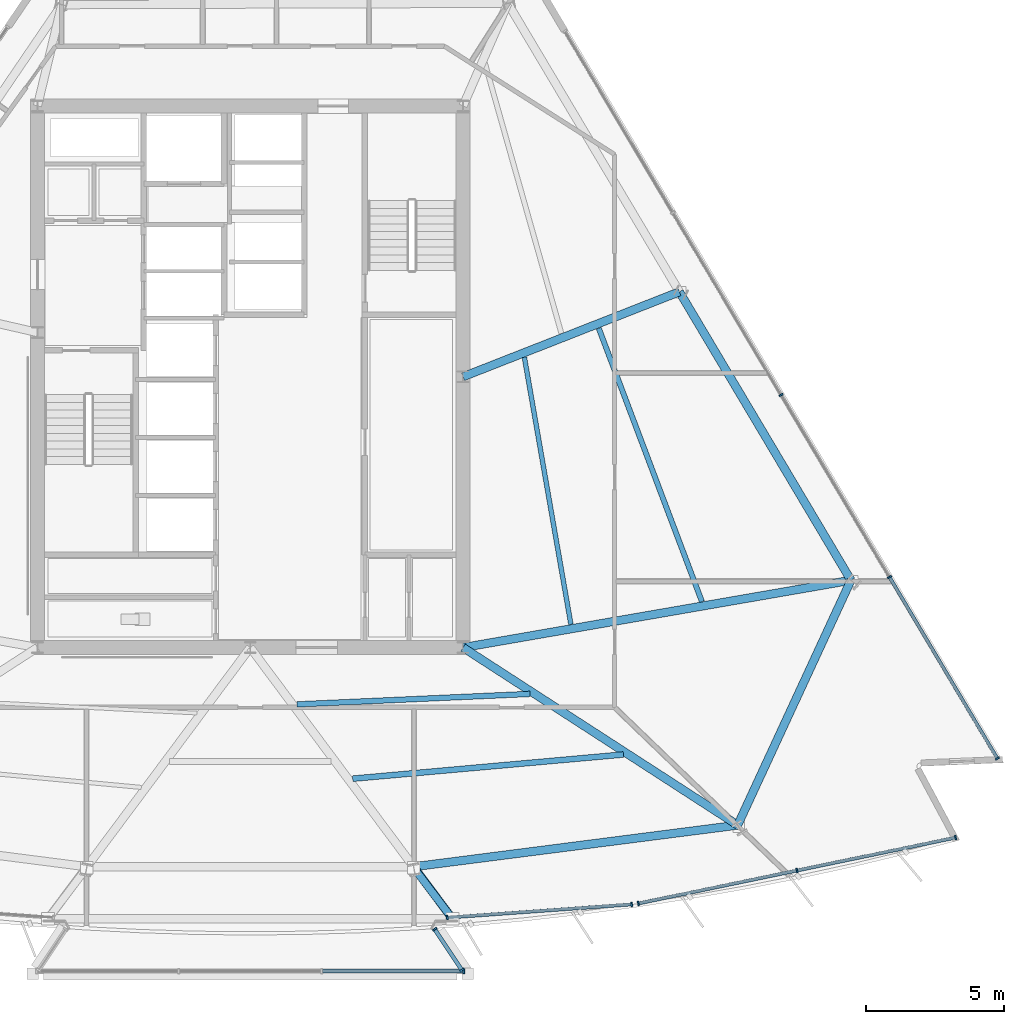
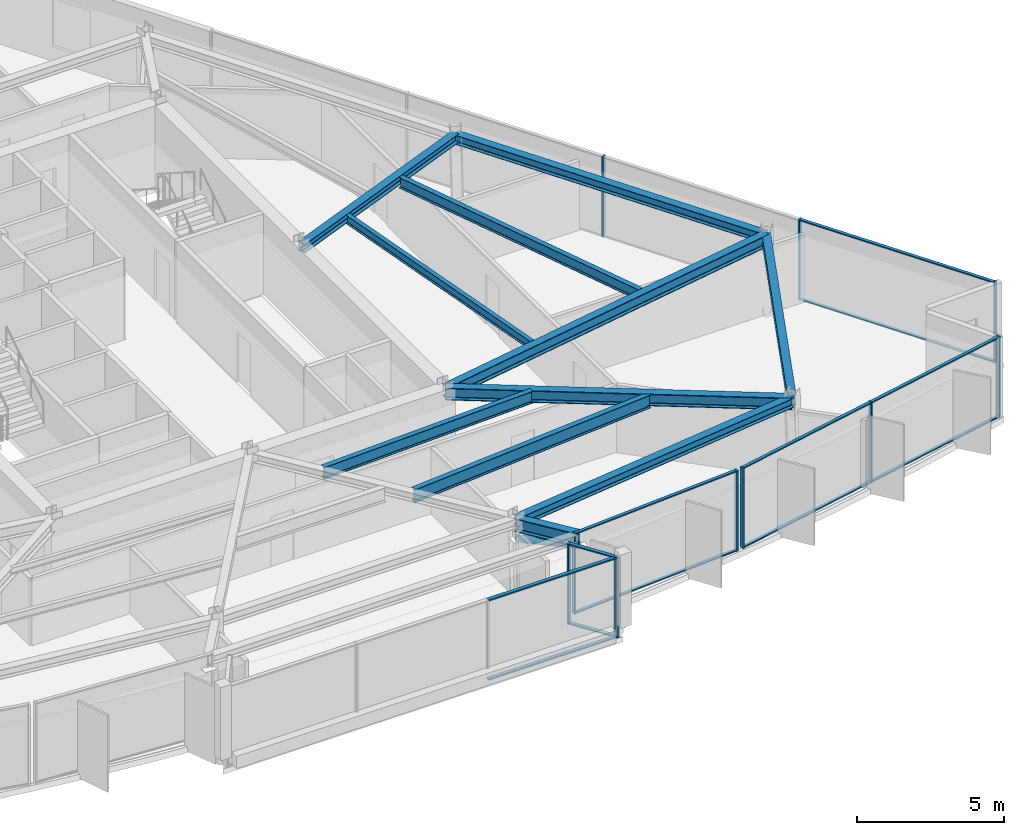
# One storey, part 5 of 16: 24 members, 11 beams, 5 elements without a shape of their own.
"""IFC4 building model written with IfcOpenShell, lengths in metres."""

from ifc_helpers import new_model, si_unit, direction, frame, origin, origin_2d, place, context, subcontext, project, spatial, rectangle, hollow_circle, i_section, extrude, material, material_profile, profile_set, type_object, element, aggregate, save


model = new_model("IFC4")

# Units and contexts
model_context = context("Model", 3, precision=1e-05, world=origin(), true_north=direction((0.0, 1.0)))
body_context = subcontext(model_context, "Body", "Model", "MODEL_VIEW")
ifc_project = project(units=[si_unit("LENGTHUNIT", "METRE"), si_unit("AREAUNIT", "SQUARE_METRE"), si_unit("VOLUMEUNIT", "CUBIC_METRE"), si_unit("PLANEANGLEUNIT", "RADIAN"), si_unit("MASSUNIT", "GRAM", prefix="KILO")], contexts=[model_context])

# Site, building, storey
site_placement = place(None, origin())
site = spatial("IfcSite", under=ifc_project, at=site_placement, CompositionType="ELEMENT")
building_placement = place(site_placement, origin())
building = spatial("IfcBuilding", under=site, at=building_placement, Name="Savorim Split Tower", CompositionType="ELEMENT")
storey_placement = place(building_placement, frame((0.0, 0.0, 160.199951171875)))
storey = spatial("IfcBuildingStorey", under=building, at=storey_placement, Name="L42", CompositionType="ELEMENT", Elevation=160.199951171875)

# Beams
ifc_material_1 = material(Name="Steel S355", Category="steel")
ifc_material_profile_1 = material_profile(ifc_material_1, i_section(OverallWidth=0.169921875, OverallDepth=0.360107421875, WebThickness=0.008056640625, FlangeThickness=0.0126953125, FilletRadius=0.01806640625, at=origin_2d()), Name="IPE 360")
ifc_profile_set_1 = profile_set([ifc_material_profile_1], Name="Steel S355")
beam_type_1 = type_object("IfcBeamType", Name="BM-JST-IPE360", PredefinedType="JOIST", material=ifc_profile_set_1)
beam_1_placement = place(storey_placement, frame((11.6025390625, -8.560546875, 3.170166015625), z_axis=(-0.171567007351, 0.985172452918, 0.0), x_axis=(-0.985172452918, -0.171567007351, 0.0)))
element("IfcBeam", 1, at=beam_1_placement, inside=storey, type_object=beam_type_1, Name="L42 Secondary Floor Joist JS-08", PredefinedType="JOIST", context=body_context, shape_type="SweptSolid", body=[
    extrude(i_section(OverallWidth=0.169921875, OverallDepth=0.360107421875, WebThickness=0.008056640625, FlangeThickness=0.0126953125, FilletRadius=0.01806640625, at=origin_2d()), origin(), (0.0, 0.0, 1.0), 9.808837890625),
])
ifc_material_profile_2 = material_profile(ifc_material_1, i_section(OverallWidth=0.18994140625, OverallDepth=0.449951171875, WebThickness=0.009521484375, FlangeThickness=0.0146484375, FilletRadius=0.02099609375, at=origin_2d()), Name="IPE 450")
ifc_profile_set_2 = profile_set([ifc_material_profile_2], Name="Steel S355")
beam_type_2 = type_object("IfcBeamType", Name="BM-JST-IPE450", PredefinedType="JOIST", material=ifc_profile_set_2)
beam_2_placement = place(storey_placement, frame((16.345703125, -7.74072265625, 3.125), z_axis=(-0.353105663793, 0.935583449083, 0.0), x_axis=(-0.935583449083, -0.353105663793, 0.0)))
element("IfcBeam", 2, at=beam_2_placement, inside=storey, type_object=beam_type_2, Name="L42 Secondary Floor Joist JS-06", PredefinedType="JOIST", context=body_context, shape_type="SweptSolid", body=[
    extrude(i_section(OverallWidth=0.18994140625, OverallDepth=0.449951171875, WebThickness=0.009521484375, FlangeThickness=0.0146484375, FilletRadius=0.02099609375, at=origin_2d()), origin(), (0.0, 0.0, 1.0), 10.577880859375),
])
ifc_material_profile_3 = material_profile(ifc_material_1, i_section(OverallWidth=0.199951171875, OverallDepth=0.5, WebThickness=0.01025390625, FlangeThickness=0.01611328125, FilletRadius=0.02099609375, at=origin_2d()), Name="IPE 500")
ifc_profile_set_3 = profile_set([ifc_material_profile_3], Name="Steel S355")
beam_type_3 = type_object("IfcBeamType", Name="BM-JST-IPE500", PredefinedType="JOIST", material=ifc_profile_set_3)
beam_3_placement = place(storey_placement, frame((1.696533203125, -11.455078125, 3.10009765625), z_axis=(0.998999807082, 0.044714488149, 0.0), x_axis=(-0.044714488149, 0.998999807082, 0.0)))
element("IfcBeam", 3, at=beam_3_placement, inside=storey, type_object=beam_type_3, Name="L42 Secondary Floor Joist JS-05", PredefinedType="JOIST", context=body_context, shape_type="SweptSolid", body=[
    extrude(i_section(OverallWidth=0.199951171875, OverallDepth=0.5, WebThickness=0.01025390625, FlangeThickness=0.01611328125, FilletRadius=0.02099609375, at=origin_2d()), origin(), (0.0, 0.0, 1.0), 8.435791015625),
])
ifc_material_profile_4 = material_profile(ifc_material_1, i_section(OverallWidth=0.2099609375, OverallDepth=0.550048828125, WebThickness=0.010986328125, FlangeThickness=0.01708984375, FilletRadius=0.02392578125, at=origin_2d()), Name="IPE 550")
ifc_profile_set_4 = profile_set([ifc_material_profile_4], Name="Steel S355")
beam_type_4 = type_object("IfcBeamType", Name="BM-JST-IPE550", PredefinedType="JOIST", material=ifc_profile_set_4)
beam_4_placement = place(storey_placement, frame((3.705810546875, -14.14501953125, 3.074951171875), z_axis=(0.996035192147, 0.088960080957, 0.0), x_axis=(-0.088960080957, 0.996035192147, 0.0)))
element("IfcBeam", 4, at=beam_4_placement, inside=storey, type_object=beam_type_4, Name="L42 Secondary Floor Joist JS-04", PredefinedType="JOIST", context=body_context, shape_type="SweptSolid", body=[
    extrude(i_section(OverallWidth=0.2099609375, OverallDepth=0.550048828125, WebThickness=0.010986328125, FlangeThickness=0.01708984375, FilletRadius=0.02392578125, at=origin_2d()), origin(), (0.0, 0.0, 1.0), 9.8359375),
])
ifc_material_profile_5 = material_profile(ifc_material_1, i_section(OverallWidth=0.300048828125, OverallDepth=0.360107421875, WebThickness=0.012451171875, FlangeThickness=0.0224609375, FilletRadius=0.027099609375, at=origin_2d()), Name="HEB 360")
ifc_profile_set_5 = profile_set([ifc_material_profile_5], Name="Steel S355")
beam_type_5 = type_object("IfcBeamType", Name="BM-PRI-HEB360", PredefinedType="BEAM", material=ifc_profile_set_5)
beam_5_placement = place(storey_placement, frame((15.529052734375, 3.473388671875, 3.170166015625), z_axis=(-0.930841785906, -0.365422453623, 0.0), x_axis=(0.365422453623, -0.930841785906, 0.0)))
element("IfcBeam", 5, at=beam_5_placement, inside=storey, type_object=beam_type_5, Name="L42 Primary Floor Girder RG-06", PredefinedType="BEAM", context=body_context, shape_type="SweptSolid", body=[
    extrude(i_section(OverallWidth=0.300048828125, OverallDepth=0.360107421875, WebThickness=0.012451171875, FlangeThickness=0.0224609375, FilletRadius=0.027099609375, at=origin_2d()), origin(), (0.0, 0.0, 1.0), 8.410888671875),
])
ifc_material_profile_6 = material_profile(ifc_material_1, i_section(OverallWidth=0.300048828125, OverallDepth=0.5, WebThickness=0.014404296875, FlangeThickness=0.028076171875, FilletRadius=0.027099609375, at=origin_2d()), Name="HEB 500")
ifc_profile_set_6 = profile_set([ifc_material_profile_6], Name="Steel S355")
beam_type_6 = type_object("IfcBeamType", Name="BM-PRI-HEB500", PredefinedType="BEAM", material=ifc_profile_set_6)
beam_6_placement = place(storey_placement, frame((17.63671875, -15.826416015625, 3.10009765625), z_axis=(-0.839691907768, 0.54306307187, 0.0), x_axis=(-0.54306307187, -0.839691907768, 0.0)))
element("IfcBeam", 6, at=beam_6_placement, inside=storey, type_object=beam_type_6, Name="L42 Primary Floor Girder RG-04", PredefinedType="BEAM", context=body_context, shape_type="SweptSolid", body=[
    extrude(i_section(OverallWidth=0.300048828125, OverallDepth=0.5, WebThickness=0.014404296875, FlangeThickness=0.028076171875, FilletRadius=0.027099609375, at=origin_2d()), origin(), (0.0, 0.0, 1.0), 11.833740234375),
])
beam_7_placement = place(storey_placement, frame((21.73583984375, -6.965087890625, 3.10009765625), z_axis=(-0.985285247641, -0.170918052821, 0.0), x_axis=(0.170918052821, -0.985285247641, 0.0)))
element("IfcBeam", 7, at=beam_7_placement, inside=storey, type_object=beam_type_6, Name="L42 Primary Floor Girder RG-05", PredefinedType="BEAM", context=body_context, shape_type="SweptSolid", body=[
    extrude(i_section(OverallWidth=0.300048828125, OverallDepth=0.5, WebThickness=0.014404296875, FlangeThickness=0.028076171875, FilletRadius=0.027099609375, at=origin_2d()), origin(), (0.0, 0.0, 1.0), 14.24560546875),
])
ifc_material_profile_7 = material_profile(ifc_material_1, i_section(OverallWidth=0.300048828125, OverallDepth=0.550048828125, WebThickness=0.014892578125, FlangeThickness=0.029052734375, FilletRadius=0.027099609375, at=origin_2d()), Name="HEB 550")
ifc_profile_set_7 = profile_set([ifc_material_profile_7], Name="Steel S355")
beam_type_7 = type_object("IfcBeamType", Name="BM-PRI-HEB550", PredefinedType="BEAM", material=ifc_profile_set_7)
beam_8_placement = place(storey_placement, frame((5.910888671875, -17.331787109375, 3.074951171875), z_axis=(0.597570388706, -0.801816456891, 0.0), x_axis=(0.801816456891, 0.597570388706, 0.0)))
element("IfcBeam", 8, at=beam_8_placement, inside=storey, type_object=beam_type_7, Name="L42 Cantilevered Lounge Rib 2", PredefinedType="BEAM", context=body_context, shape_type="SweptSolid", body=[
    extrude(i_section(OverallWidth=0.300048828125, OverallDepth=0.550048828125, WebThickness=0.014892578125, FlangeThickness=0.029052734375, FilletRadius=0.027099609375, at=origin_2d()), origin(), (0.0, 0.0, 1.0), 2.35009765625),
])
ifc_material_profile_8 = material_profile(ifc_material_1, i_section(OverallWidth=0.300048828125, OverallDepth=0.389892578125, WebThickness=0.010986328125, FlangeThickness=0.01904296875, FilletRadius=0.027099609375, at=origin_2d()), Name="HEA 400")
ifc_profile_set_8 = profile_set([ifc_material_profile_8], Name="Steel S355")
beam_type_8 = type_object("IfcBeamType", Name="BM-SPN-HEA400", PredefinedType="SPANDREL", material=ifc_profile_set_8)
beam_9_placement = place(storey_placement, frame((5.910888671875, -17.331787109375, 3.155029296875), z_axis=(0.991859676182, 0.127335708912, 0.0), x_axis=(-0.127335708912, 0.991859676182, 0.0)))
element("IfcBeam", 9, at=beam_9_placement, inside=storey, type_object=beam_type_8, Name="L42 Perimeter Spandrel Beam 3", PredefinedType="SPANDREL", context=body_context, shape_type="SweptSolid", body=[
    extrude(i_section(OverallWidth=0.300048828125, OverallDepth=0.389892578125, WebThickness=0.010986328125, FlangeThickness=0.01904296875, FilletRadius=0.027099609375, at=origin_2d()), origin(), (0.0, 0.0, 1.0), 11.822021484375),
])
beam_10_placement = place(storey_placement, frame((17.63671875, -15.826416015625, 3.155029296875), z_axis=(0.419841362698, 0.907597504496, 0.0), x_axis=(-0.907597504496, 0.419841362698, 0.0)))
element("IfcBeam", 10, at=beam_10_placement, inside=storey, type_object=beam_type_8, Name="L42 Perimeter Spandrel Beam 4", PredefinedType="SPANDREL", context=body_context, shape_type="SweptSolid", body=[
    extrude(i_section(OverallWidth=0.300048828125, OverallDepth=0.389892578125, WebThickness=0.010986328125, FlangeThickness=0.01904296875, FilletRadius=0.027099609375, at=origin_2d()), origin(), (0.0, 0.0, 1.0), 9.763427734375),
])
beam_11_placement = place(storey_placement, frame((21.73583984375, -6.965087890625, 3.155029296875), z_axis=(-0.511083019696, 0.85953135311, 0.0), x_axis=(-0.85953135311, -0.511083019696, 0.0)))
element("IfcBeam", 11, at=beam_11_placement, inside=storey, type_object=beam_type_8, Name="L42 Perimeter Spandrel Beam 5", PredefinedType="SPANDREL", context=body_context, shape_type="SweptSolid", body=[
    extrude(i_section(OverallWidth=0.300048828125, OverallDepth=0.389892578125, WebThickness=0.010986328125, FlangeThickness=0.01904296875, FilletRadius=0.027099609375, at=origin_2d()), origin(), (0.0, 0.0, 1.0), 12.144287109375),
])

# Curtain wall, members
ifc_material_2 = material(Name="Dark Ceramic-Fritted Insulated Glass", Category="glass")
curtain_wall_type_1 = type_object("IfcCurtainWallType", Name="CW-TWR-FRIT-B", PredefinedType="NOTDEFINED", material=ifc_material_2)
curtain_wall_1_placement = place(storey_placement, origin())
curtain_wall_1 = element("IfcCurtainWall", 12, at=curtain_wall_1_placement, inside=storey, type_object=curtain_wall_type_1, Name="L42 Curtain Wall CW-L42-SF3A", PredefinedType="NOTDEFINED")
ifc_material_3 = material(Name="Charcoal Anodised Aluminium", Category="aluminium")
ifc_material_profile_9 = material_profile(ifc_material_3, rectangle(XDim=0.159912109375, YDim=0.06005859375, at=origin_2d()), Name="ALU-M 160x60")
ifc_profile_set_9 = profile_set([ifc_material_profile_9], Name="Charcoal Anodised Aluminium")
member_type_1 = type_object("IfcMemberType", Name="CWM-160x60", PredefinedType="MULLION", material=ifc_profile_set_9)
member_1_placement = place(storey_placement, frame((7.126708984375, -19.169921875, 0.0), z_axis=(0.0, 0.0, 1.0), x_axis=(-0.071553283467, 0.997436778761, 0.0)))
member_1 = element("IfcMember", 13, at=member_1_placement, type_object=member_type_1, Name="CW-03 mullion 1", PredefinedType="MULLION", context=body_context, shape_type="SweptSolid", body=[
    extrude(rectangle(XDim=0.159912109375, YDim=0.06005859375, at=origin_2d()), origin(), (0.0, 0.0, 1.0), 3.35009765625),
])
member_2_placement = place(storey_placement, frame((13.802734375, -18.691162109375, 0.0), z_axis=(0.0, 0.0, 1.0), x_axis=(-0.071553283467, 0.997436778761, 0.0)))
member_2 = element("IfcMember", 14, at=member_2_placement, type_object=member_type_1, Name="CW-03 mullion 2", PredefinedType="MULLION", context=body_context, shape_type="SweptSolid", body=[
    extrude(rectangle(XDim=0.159912109375, YDim=0.06005859375, at=origin_2d()), origin(), (0.0, 0.0, 1.0), 3.35009765625),
])

curtain_wall_2_placement = place(storey_placement, origin())
curtain_wall_2 = element("IfcCurtainWall", 15, at=curtain_wall_2_placement, inside=storey, type_object=curtain_wall_type_1, Name="L42 Curtain Wall CW-L42-SF4A", PredefinedType="NOTDEFINED")
member_3_placement = place(storey_placement, frame((14.043701171875, -18.657470703125, 0.0), z_axis=(0.0, 0.0, 1.0), x_axis=(-0.20321231183, 0.979134697741, 0.0)))
member_3 = element("IfcMember", 16, at=member_3_placement, type_object=member_type_1, Name="CW-03 mullion 1", PredefinedType="MULLION", context=body_context, shape_type="SweptSolid", body=[
    extrude(rectangle(XDim=0.159912109375, YDim=0.06005859375, at=origin_2d()), origin(), (0.0, 0.0, 1.0), 3.35009765625),
])
member_4_placement = place(storey_placement, frame((19.782958984375, -17.46630859375, 0.0), z_axis=(0.0, 0.0, 1.0), x_axis=(-0.20321231183, 0.979134697741, 0.0)))
member_4 = element("IfcMember", 17, at=member_4_placement, type_object=member_type_1, Name="CW-03 mullion 2", PredefinedType="MULLION", context=body_context, shape_type="SweptSolid", body=[
    extrude(rectangle(XDim=0.159912109375, YDim=0.06005859375, at=origin_2d()), origin(), (0.0, 0.0, 1.0), 3.35009765625),
])
member_5_placement = place(storey_placement, frame((25.52197265625, -16.275390625, 0.0), z_axis=(0.0, 0.0, 1.0), x_axis=(-0.20321231183, 0.979134697741, 0.0)))
member_5 = element("IfcMember", 18, at=member_5_placement, type_object=member_type_1, Name="CW-03 mullion 3", PredefinedType="MULLION", context=body_context, shape_type="SweptSolid", body=[
    extrude(rectangle(XDim=0.159912109375, YDim=0.06005859375, at=origin_2d()), origin(), (0.0, 0.0, 1.0), 3.35009765625),
])

curtain_wall_3_placement = place(storey_placement, origin())
curtain_wall_3 = element("IfcCurtainWall", 19, at=curtain_wall_3_placement, inside=storey, type_object=curtain_wall_type_1, Name="L42 Curtain Wall CW-L42-EAST", PredefinedType="NOTDEFINED")
member_6_placement = place(storey_placement, frame((27.03369140625, -13.41552734375, 0.0), z_axis=(0.0, 0.0, 1.0), x_axis=(-0.859526328423, -0.511091470039, 0.0)))
member_6 = element("IfcMember", 20, at=member_6_placement, type_object=member_type_1, Name="CW-03 mullion 1", PredefinedType="MULLION", context=body_context, shape_type="SweptSolid", body=[
    extrude(rectangle(XDim=0.159912109375, YDim=0.06005859375, at=origin_2d()), origin(), (0.0, 0.0, 1.0), 3.35009765625),
])
member_7_placement = place(storey_placement, frame((23.12939453125, -6.849609375, 0.0), z_axis=(0.0, 0.0, 1.0), x_axis=(-0.859526328423, -0.511091470039, 0.0)))
member_7 = element("IfcMember", 21, at=member_7_placement, type_object=member_type_1, Name="CW-03 mullion 2", PredefinedType="MULLION", context=body_context, shape_type="SweptSolid", body=[
    extrude(rectangle(XDim=0.159912109375, YDim=0.06005859375, at=origin_2d()), origin(), (0.0, 0.0, 1.0), 3.35009765625),
])
member_8_placement = place(storey_placement, frame((19.209716796875, -0.257568359375, 0.0), z_axis=(0.0, 0.0, 1.0), x_axis=(-0.859526328423, -0.511091470039, 0.0)))
member_8 = element("IfcMember", 22, at=member_8_placement, type_object=member_type_1, Name="CW-03 mullion 3", PredefinedType="MULLION", context=body_context, shape_type="SweptSolid", body=[
    extrude(rectangle(XDim=0.159912109375, YDim=0.06005859375, at=origin_2d()), origin(), (0.0, 0.0, 1.0), 3.35009765625),
])

# Curtain wall, member
curtain_wall_type_2 = type_object("IfcCurtainWallType", Name="CW-BAY-LOUNGE", PredefinedType="NOTDEFINED", material=ifc_material_2)
curtain_wall_4_placement = place(storey_placement, origin())
curtain_wall_4 = element("IfcCurtainWall", 23, at=curtain_wall_4_placement, inside=storey, type_object=curtain_wall_type_2, Name="L42 Curtain Wall CW-L42-BAYF", PredefinedType="NOTDEFINED")
ifc_material_profile_10 = material_profile(ifc_material_3, rectangle(XDim=0.179931640625, YDim=0.06494140625, at=origin_2d()), Name="ALU-M 180x65")
ifc_profile_set_10 = profile_set([ifc_material_profile_10], Name="Charcoal Anodised Aluminium")
member_type_2 = type_object("IfcMemberType", Name="CWM-180x65", PredefinedType="MULLION", material=ifc_profile_set_10)
member_9_placement = place(storey_placement, frame((7.720703125, -21.10888671875, 0.0), z_axis=(0.0, 0.0, 1.0), x_axis=(0.0, 1.0, 0.0)))
member_9 = element("IfcMember", 24, at=member_9_placement, type_object=member_type_2, Name="CW-04 mullion 4", PredefinedType="MULLION", context=body_context, shape_type="SweptSolid", body=[
    extrude(rectangle(XDim=0.179931640625, YDim=0.06494140625, at=origin_2d()), origin(), (0.0, 0.0, 1.0), 3.35009765625),
])

# Curtain wall, members
curtain_wall_5_placement = place(storey_placement, origin())
curtain_wall_5 = element("IfcCurtainWall", 25, at=curtain_wall_5_placement, inside=storey, type_object=curtain_wall_type_2, Name="L42 Curtain Wall CW-L42-BAYE", PredefinedType="NOTDEFINED")
member_10_placement = place(storey_placement, frame((7.658203125, -21.066650390625, 0.0), z_axis=(0.0, 0.0, 1.0), x_axis=(-0.832041910275, -0.554712772113, 0.0)))
member_10 = element("IfcMember", 26, at=member_10_placement, type_object=member_type_2, Name="CW-04 mullion 1", PredefinedType="MULLION", context=body_context, shape_type="SweptSolid", body=[
    extrude(rectangle(XDim=0.179931640625, YDim=0.06494140625, at=origin_2d()), origin(), (0.0, 0.0, 1.0), 3.35009765625),
])
member_11_placement = place(storey_placement, frame((6.67626953125, -19.593994140625, 0.0), z_axis=(0.0, 0.0, 1.0), x_axis=(-0.832041910275, -0.554712772113, 0.0)))
member_11 = element("IfcMember", 27, at=member_11_placement, type_object=member_type_2, Name="CW-04 mullion 2", PredefinedType="MULLION", context=body_context, shape_type="SweptSolid", body=[
    extrude(rectangle(XDim=0.179931640625, YDim=0.06494140625, at=origin_2d()), origin(), (0.0, 0.0, 1.0), 3.35009765625),
])

# Member
ifc_material_profile_11 = material_profile(ifc_material_3, rectangle(XDim=0.1201171875, YDim=0.050048828125, at=origin_2d()), Name="ALU-T 120x50")
ifc_profile_set_11 = profile_set([ifc_material_profile_11], Name="Charcoal Anodised Aluminium")
member_type_3 = type_object("IfcMemberType", Name="CWT-120x50", PredefinedType="USERDEFINED", material=ifc_profile_set_11)
member_12_placement = place(storey_placement, frame((7.15673828125, -19.167724609375, 0.025146484375), z_axis=(0.9974367928, 0.07155308776, 0.0), x_axis=(-0.07155308776, 0.9974367928, 0.0)))
member_12 = element("IfcMember", 28, at=member_12_placement, type_object=member_type_3, Name="CW-03 transom 1.1", ObjectType="TRANSOM", PredefinedType="USERDEFINED", context=body_context, shape_type="SweptSolid", body=[
    extrude(rectangle(XDim=0.1201171875, YDim=0.050048828125, at=origin_2d()), origin(), (0.0, 0.0, 1.0), 6.633056640625),
])

member_13_placement = place(storey_placement, frame((7.15673828125, -19.167724609375, 3.324951171875), z_axis=(0.9974367928, 0.07155308776, 0.0), x_axis=(-0.07155308776, 0.9974367928, 0.0)))
member_13 = element("IfcMember", 29, at=member_13_placement, type_object=member_type_3, Name="CW-03 transom 1.2", ObjectType="TRANSOM", PredefinedType="USERDEFINED", context=body_context, shape_type="SweptSolid", body=[
    extrude(rectangle(XDim=0.1201171875, YDim=0.050048828125, at=origin_2d()), origin(), (0.0, 0.0, 1.0), 6.633056640625),
])

aggregate(curtain_wall_1, [member_1, member_2, member_12, member_13])

member_14_placement = place(storey_placement, frame((14.0732421875, -18.6513671875, 0.025146484375), z_axis=(0.979132099481, 0.203224830585, 0.0), x_axis=(-0.203224830585, 0.979132099481, 0.0)))
member_14 = element("IfcMember", 30, at=member_14_placement, type_object=member_type_3, Name="CW-03 transom 1.1", ObjectType="TRANSOM", PredefinedType="USERDEFINED", context=body_context, shape_type="SweptSolid", body=[
    extrude(rectangle(XDim=0.1201171875, YDim=0.050048828125, at=origin_2d()), origin(), (0.0, 0.0, 1.0), 5.80126953125),
])

member_15_placement = place(storey_placement, frame((14.0732421875, -18.6513671875, 3.324951171875), z_axis=(0.979132099481, 0.203224830585, 0.0), x_axis=(-0.203224830585, 0.979132099481, 0.0)))
member_15 = element("IfcMember", 31, at=member_15_placement, type_object=member_type_3, Name="CW-03 transom 1.2", ObjectType="TRANSOM", PredefinedType="USERDEFINED", context=body_context, shape_type="SweptSolid", body=[
    extrude(rectangle(XDim=0.1201171875, YDim=0.050048828125, at=origin_2d()), origin(), (0.0, 0.0, 1.0), 5.80126953125),
])

member_16_placement = place(storey_placement, frame((19.812255859375, -17.460205078125, 0.025146484375), z_axis=(0.979140472811, 0.203184483914, 0.0), x_axis=(-0.203184483914, 0.979140472811, 0.0)))
member_16 = element("IfcMember", 32, at=member_16_placement, type_object=member_type_3, Name="CW-03 transom 2.1", ObjectType="TRANSOM", PredefinedType="USERDEFINED", context=body_context, shape_type="SweptSolid", body=[
    extrude(rectangle(XDim=0.1201171875, YDim=0.050048828125, at=origin_2d()), origin(), (0.0, 0.0, 1.0), 5.80126953125),
])

member_17_placement = place(storey_placement, frame((19.812255859375, -17.460205078125, 3.324951171875), z_axis=(0.979140472811, 0.203184483914, 0.0), x_axis=(-0.203184483914, 0.979140472811, 0.0)))
member_17 = element("IfcMember", 33, at=member_17_placement, type_object=member_type_3, Name="CW-03 transom 2.2", ObjectType="TRANSOM", PredefinedType="USERDEFINED", context=body_context, shape_type="SweptSolid", body=[
    extrude(rectangle(XDim=0.1201171875, YDim=0.050048828125, at=origin_2d()), origin(), (0.0, 0.0, 1.0), 5.80126953125),
])

aggregate(curtain_wall_2, [member_3, member_4, member_5, member_14, member_15, member_16, member_17])

member_18_placement = place(storey_placement, frame((27.0185546875, -13.389892578125, 0.025146484375), z_axis=(-0.511095331359, 0.859524032394, 0.0), x_axis=(-0.859524032394, -0.511095331359, 0.0)))
member_18 = element("IfcMember", 34, at=member_18_placement, type_object=member_type_3, Name="CW-03 transom 1.1", ObjectType="TRANSOM", PredefinedType="USERDEFINED", context=body_context, shape_type="SweptSolid", body=[
    extrude(rectangle(XDim=0.1201171875, YDim=0.050048828125, at=origin_2d()), origin(), (0.0, 0.0, 1.0), 7.579345703125),
])

member_19_placement = place(storey_placement, frame((27.0185546875, -13.389892578125, 3.324951171875), z_axis=(-0.511095331359, 0.859524032394, 0.0), x_axis=(-0.859524032394, -0.511095331359, 0.0)))
member_19 = element("IfcMember", 35, at=member_19_placement, type_object=member_type_3, Name="CW-03 transom 1.2", ObjectType="TRANSOM", PredefinedType="USERDEFINED", context=body_context, shape_type="SweptSolid", body=[
    extrude(rectangle(XDim=0.1201171875, YDim=0.050048828125, at=origin_2d()), origin(), (0.0, 0.0, 1.0), 7.579345703125),
])

aggregate(curtain_wall_3, [member_6, member_7, member_8, member_18, member_19])

ifc_material_profile_12 = material_profile(ifc_material_3, rectangle(XDim=0.139892578125, YDim=0.054931640625, at=origin_2d()), Name="ALU-T 140x55")
ifc_profile_set_12 = profile_set([ifc_material_profile_12], Name="Charcoal Anodised Aluminium")
member_type_4 = type_object("IfcMemberType", Name="CWT-140x55", PredefinedType="USERDEFINED", material=ifc_profile_set_12)
member_20_placement = place(storey_placement, frame((2.616943359375, -21.10888671875, 0.027587890625), z_axis=(1.0, 0.0, 0.0), x_axis=(0.0, 1.0, 0.0)))
member_20 = element("IfcMember", 36, at=member_20_placement, type_object=member_type_4, Name="CW-04 transom 3.1", ObjectType="TRANSOM", PredefinedType="USERDEFINED", context=body_context, shape_type="SweptSolid", body=[
    extrude(rectangle(XDim=0.139892578125, YDim=0.054931640625, at=origin_2d()), origin(), (0.0, 0.0, 1.0), 5.071044921875),
])

member_21_placement = place(storey_placement, frame((2.616943359375, -21.10888671875, 3.322509765625), z_axis=(1.0, 0.0, 0.0), x_axis=(0.0, 1.0, 0.0)))
member_21 = element("IfcMember", 37, at=member_21_placement, type_object=member_type_4, Name="CW-04 transom 3.2", ObjectType="TRANSOM", PredefinedType="USERDEFINED", context=body_context, shape_type="SweptSolid", body=[
    extrude(rectangle(XDim=0.139892578125, YDim=0.054931640625, at=origin_2d()), origin(), (0.0, 0.0, 1.0), 5.071044921875),
])

aggregate(curtain_wall_4, [member_9, member_20, member_21])

member_22_placement = place(storey_placement, frame((7.64013671875, -21.039794921875, 0.027587890625), z_axis=(-0.554700196225, 0.832050294338, 0.0), x_axis=(-0.832050294338, -0.554700196225, 0.0)))
member_22 = element("IfcMember", 38, at=member_22_placement, type_object=member_type_4, Name="CW-04 transom 1.1", ObjectType="TRANSOM", PredefinedType="USERDEFINED", context=body_context, shape_type="SweptSolid", body=[
    extrude(rectangle(XDim=0.139892578125, YDim=0.054931640625, at=origin_2d()), origin(), (0.0, 0.0, 1.0), 1.705078125),
])

member_23_placement = place(storey_placement, frame((7.64013671875, -21.039794921875, 3.322509765625), z_axis=(-0.554700196225, 0.832050294338, 0.0), x_axis=(-0.832050294338, -0.554700196225, 0.0)))
member_23 = element("IfcMember", 39, at=member_23_placement, type_object=member_type_4, Name="CW-04 transom 1.2", ObjectType="TRANSOM", PredefinedType="USERDEFINED", context=body_context, shape_type="SweptSolid", body=[
    extrude(rectangle(XDim=0.139892578125, YDim=0.054931640625, at=origin_2d()), origin(), (0.0, 0.0, 1.0), 1.705078125),
])

aggregate(curtain_wall_5, [member_10, member_11, member_22, member_23])

ifc_material_profile_13 = material_profile(ifc_material_1, hollow_circle(Radius=0.136474609375, WallThickness=0.01611328125, at=origin_2d()), Name="CHS 273x16")
ifc_profile_set_13 = profile_set([ifc_material_profile_13], Name="Steel S355")
member_type_5 = type_object("IfcMemberType", Name="MBR-CRN-CHS273", PredefinedType="BRACE", material=ifc_profile_set_13)
member_24_placement = place(storey_placement, frame((5.9189453125, -17.372314453125, 2.449951171875), z_axis=(0.596124123007, -0.787188210693, 0.15802136221), x_axis=(0.797204532668, 0.603709311749, 0.0)))
element("IfcMember", 40, at=member_24_placement, inside=storey, type_object=member_type_5, Name="L42 Cantilevered Bay Support Strut 2", PredefinedType="BRACE", context=body_context, shape_type="SweptSolid", body=[
    extrude(hollow_circle(Radius=0.136474609375, WallThickness=0.01611328125, at=origin_2d()), origin(), (0.0, 0.0, 1.0), 2.34228515625),
])

save(model, "model.ifc")
